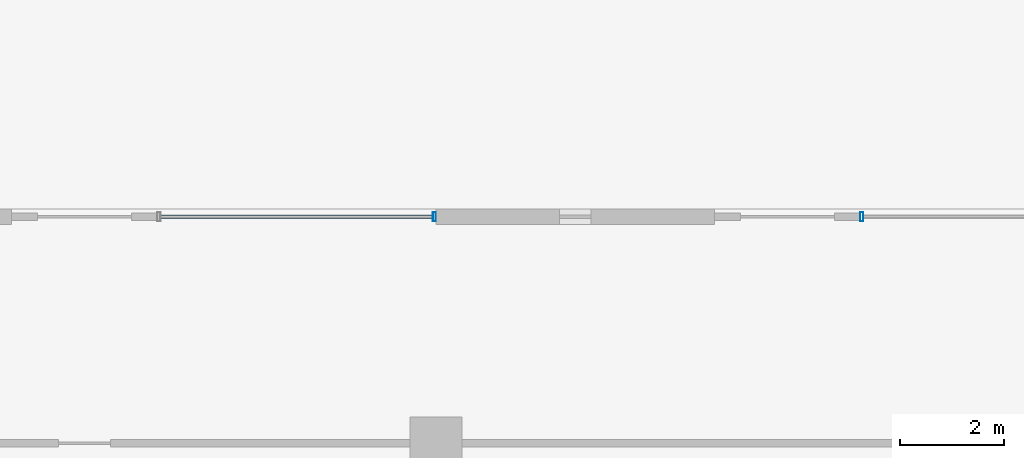
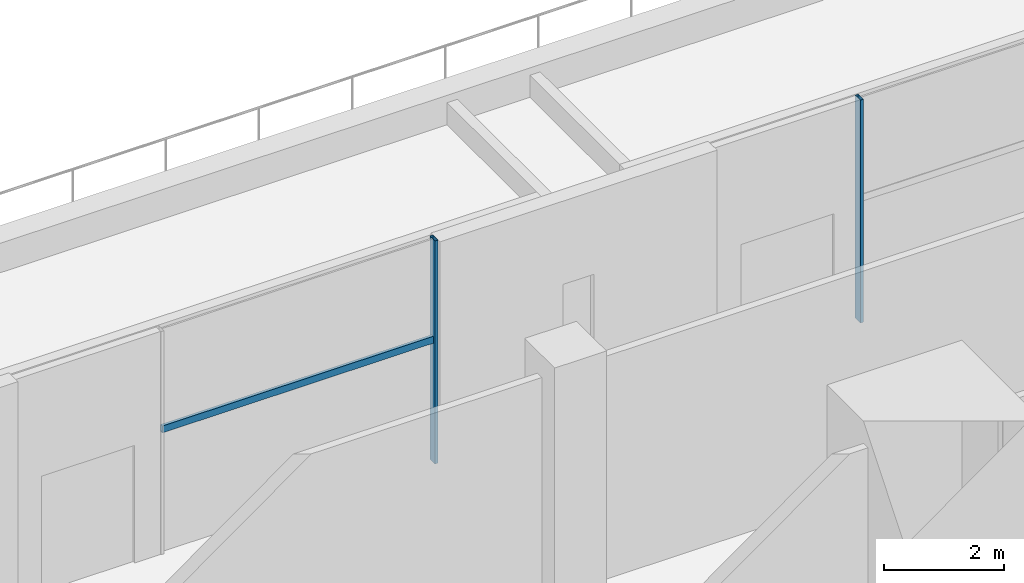
# One storey, part 20 of 49: 3 members, 2 elements without a shape of their own.
"""IFC4 building model written with IfcOpenShell, lengths in metres."""

from ifc_helpers import new_model, si_unit, direction, frame, origin, origin_2d, place, context, subcontext, project, spatial, hollow_rectangle, extrude, material, material_profile, profile_set, type_object, element, aggregate, save


model = new_model("IFC4")

# Units and contexts
model_context = context("Model", 3, precision=1e-05, world=origin(), true_north=direction((0.0, 1.0)))
body_context = subcontext(model_context, "Body", "Model", "MODEL_VIEW")
ifc_project = project(units=[si_unit("LENGTHUNIT", "METRE"), si_unit("AREAUNIT", "SQUARE_METRE"), si_unit("VOLUMEUNIT", "CUBIC_METRE"), si_unit("PLANEANGLEUNIT", "RADIAN"), si_unit("MASSUNIT", "GRAM", prefix="KILO")], contexts=[model_context])

# Site, building, storey
site_placement = place(None, origin())
site = spatial("IfcSite", under=ifc_project, at=site_placement, CompositionType="ELEMENT")
building_placement = place(site_placement, origin())
building = spatial("IfcBuilding", under=site, at=building_placement, Name="Altepetl Exchange Towers", CompositionType="ELEMENT")
storey_placement = place(building_placement, frame((0.0, 0.0, 11.5)))
storey = spatial("IfcBuildingStorey", under=building, at=storey_placement, Name="L02 Exchange podium", CompositionType="ELEMENT", Elevation=11.5)

# Curtain wall, member
ifc_material_1 = material(Name="Aluminium 6063-T6 glazing", Category="aluminium")
curtain_wall_type = type_object("IfcCurtainWallType", Name="Podium storefront system", PredefinedType="NOTDEFINED", material=ifc_material_1)
curtain_wall_1_placement = place(storey_placement, origin())
curtain_wall_1 = element("IfcCurtainWall", 1, at=curtain_wall_1_placement, inside=storey, type_object=curtain_wall_type, Name="CW5 run", PredefinedType="NOTDEFINED")
ifc_material_2 = material(Name="Aluminium 6063-T6", Category="aluminium")
ifc_material_profile_1 = material_profile(ifc_material_2, hollow_rectangle(XDim=0.06005859375, YDim=0.175048828125, WallThickness=0.0029296875, at=origin_2d()), Name="Mullion 60x175 aluminium")
ifc_profile_set_1 = profile_set([ifc_material_profile_1], Name="Aluminium 6063-T6")
member_type_1 = type_object("IfcMemberType", Name="Mullion 60x175 aluminium", PredefinedType="MULLION", material=ifc_profile_set_1)
member_1_placement = place(storey_placement, frame((71.179931640625, 80.85009765625, 0.0), z_axis=(0.0, 0.0, 1.0), x_axis=(-1.0, 0.0, 0.0)))
member_1 = element("IfcMember", 2, at=member_1_placement, type_object=member_type_1, Name="MU4 mullion", PredefinedType="MULLION", context=body_context, shape_type="SweptSolid", body=[
    extrude(hollow_rectangle(XDim=0.06005859375, YDim=0.175048828125, WallThickness=0.0029296875, at=origin_2d()), origin(), (0.0, 0.0, 1.0), 4.550048828125),
])
aggregate(curtain_wall_1, [member_1])

# Curtain wall, members
curtain_wall_2_placement = place(storey_placement, origin())
curtain_wall_2 = element("IfcCurtainWall", 3, at=curtain_wall_2_placement, inside=storey, type_object=curtain_wall_type, Name="CW5 run", PredefinedType="NOTDEFINED")
member_2_placement = place(storey_placement, frame((62.969970703125, 80.85009765625, 0.0), z_axis=(0.0, 0.0, 1.0), x_axis=(-1.0, 0.0, 0.0)))
member_2 = element("IfcMember", 4, at=member_2_placement, type_object=member_type_1, Name="MU4 mullion", PredefinedType="MULLION", context=body_context, shape_type="SweptSolid", body=[
    extrude(hollow_rectangle(XDim=0.06005859375, YDim=0.175048828125, WallThickness=0.0029296875, at=origin_2d()), origin(), (0.0, 0.0, 1.0), 4.550048828125),
])
ifc_material_profile_2 = material_profile(ifc_material_2, hollow_rectangle(XDim=0.06005859375, YDim=0.139892578125, WallThickness=0.0029296875, at=origin_2d()), Name="Transom 60x140 aluminium")
ifc_profile_set_2 = profile_set([ifc_material_profile_2], Name="Aluminium 6063-T6")
member_type_2 = type_object("IfcMemberType", Name="Transom 60x140 aluminium", PredefinedType="USERDEFINED", material=ifc_profile_set_2)
member_3_placement = place(storey_placement, frame((62.93994140625, 80.85009765625, 2.5), z_axis=(-1.0, 0.0, 0.0), x_axis=(0.0, -1.0, 0.0)))
member_3 = element("IfcMember", 5, at=member_3_placement, type_object=member_type_2, Name="TR3 transom", ObjectType="TRANSOM", PredefinedType="USERDEFINED", context=body_context, shape_type="SweptSolid", body=[
    extrude(hollow_rectangle(XDim=0.06005859375, YDim=0.139892578125, WallThickness=0.0029296875, at=origin_2d()), origin(), (0.0, 0.0, 1.0), 5.22998046875),
])
aggregate(curtain_wall_2, [member_2, member_3])

save(model, "model.ifc")
